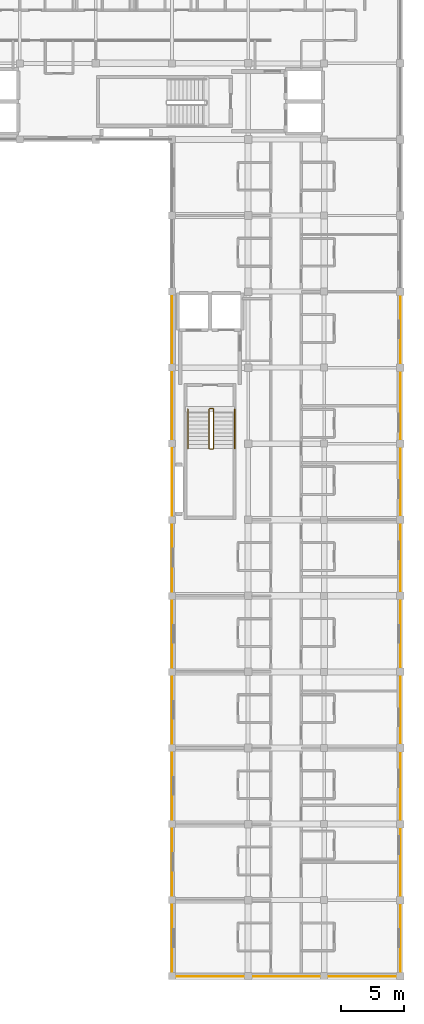
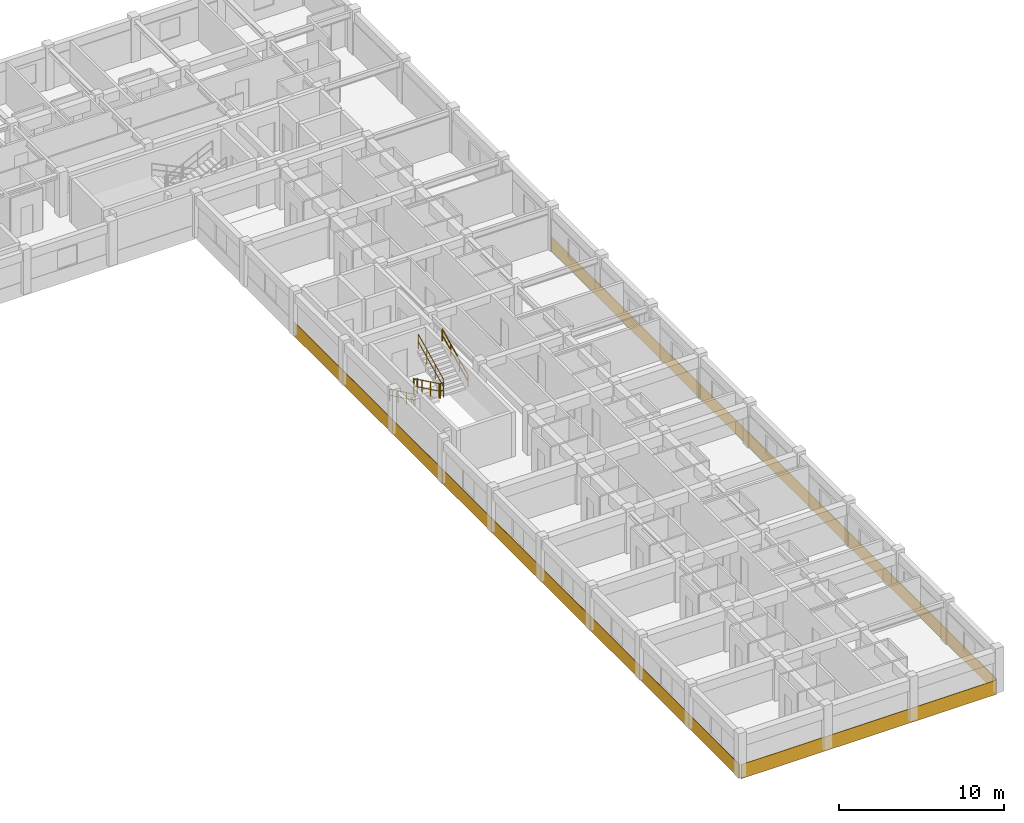
# One storey, part 17 of 21: 7 coverings, 6 railings.
"""IFC4 building model written with IfcOpenShell, lengths in metres."""

from ifc_helpers import new_model, si_unit, direction, frame, origin, origin_2d, place, context, subcontext, project, spatial, polyline, circle, outline, extrude, material, layer, layer_set, type_object, element, save


model = new_model("IFC4")

# Units and contexts
model_context = context("Model", 3, precision=1e-05, world=origin(), true_north=direction((0.0, 1.0)))
body_context = subcontext(model_context, "Body", "Model", "MODEL_VIEW")
ifc_project = project(units=[si_unit("LENGTHUNIT", "METRE"), si_unit("AREAUNIT", "SQUARE_METRE"), si_unit("VOLUMEUNIT", "CUBIC_METRE"), si_unit("PLANEANGLEUNIT", "RADIAN"), si_unit("MASSUNIT", "GRAM", prefix="KILO"), si_unit("THERMODYNAMICTEMPERATUREUNIT", "KELVIN"), si_unit("POWERUNIT", "WATT")], contexts=[model_context])

# Site, building, storey
site_placement = place(None, origin())
site = spatial("IfcSite", under=ifc_project, at=site_placement, CompositionType="ELEMENT")
building_placement = place(site_placement, origin())
building = spatial("IfcBuilding", under=site, at=building_placement, Name="Phaisarnlok Congress Hotel", CompositionType="ELEMENT")
storey_placement = place(building_placement, frame((0.0, 0.0, 34.800048828125)))
storey = spatial("IfcBuildingStorey", under=building, at=storey_placement, Name="L08", CompositionType="ELEMENT", Elevation=34.800048828125)

# Coverings
ifc_material_1 = material(Name="Anodised Silver Aluminium Alloy 6063-T6", Category="aluminium")
ifc_layer = layer(ifc_material_1, 0.031982421875, Name="Anodised Silver Aluminium Alloy 6063-T6")
ifc_layer_set = layer_set([ifc_layer], Name="Anodised Silver Aluminium Alloy 6063-T6")
covering_type = type_object("IfcCoveringType", Name="COV-SPAND-ALU", PredefinedType="CLADDING", material=ifc_layer_set)
for number, where, z_axis, x_axis, name in (
    (1, (179.9951171875, 42.06005859375, -0.280029296875), (1.0, 0.0, 0.0), (0.0, 1.0, 0.0), "Swiss minimalist anodised silver rainscreen band CL-02 (L08 E)"),
    (2, (179.9951171875, 60.06005859375, -0.280029296875), (1.0, 0.0, 0.0), (0.0, 1.0, 0.0), "Swiss minimalist anodised silver rainscreen band CL-02 (L08 E)"),
    (3, (179.9951171875, 78.06005859375, -0.280029296875), (1.0, 0.0, 0.0), (0.0, 1.0, 0.0), "Swiss minimalist anodised silver rainscreen band CL-02 (L08 E)"),
    (4, (162.0048828125, 60.06005859375, -0.280029296875), (-1.0, 0.0, 0.0), (0.0, -1.0, 0.0), "Swiss minimalist anodised silver rainscreen band CL-02 (L08 W)"),
    (5, (162.0048828125, 78.06005859375, -0.280029296875), (-1.0, 0.0, 0.0), (0.0, -1.0, 0.0), "Swiss minimalist anodised silver rainscreen band CL-02 (L08 W)"),
    (6, (162.0048828125, 96.06005859375, -0.280029296875), (-1.0, 0.0, 0.0), (0.0, -1.0, 0.0), "Swiss minimalist anodised silver rainscreen band CL-02 (L08 W)"),
):
    element("IfcCovering", number, at=place(storey_placement, frame(where, z_axis=z_axis, x_axis=x_axis)), inside=storey, type_object=covering_type, Name=name, PredefinedType="CLADDING", context=body_context, shape_type="SweptSolid", body=[
        extrude(outline(polyline([(0.0, 0.0), (18.0, 0.0), (18.0, 1.050048828125), (0.0, 1.050048828125), (0.0, 0.0)])), origin(), (0.0, 0.0, 1.0), 0.031982421875),
    ])
covering_placement = place(storey_placement, frame((162.06005859375, 42.0048828125, -0.280029296875), z_axis=(0.0, -1.0, 0.0), x_axis=(1.0, 0.0, 0.0)))
element("IfcCovering", 7, at=covering_placement, inside=storey, type_object=covering_type, Name="Swiss minimalist anodised silver rainscreen band CL-02 (L08 SG)", PredefinedType="CLADDING", context=body_context, shape_type="SweptSolid", body=[
    extrude(outline(polyline([(0.0, 0.0), (17.8798828125, 0.0), (17.8798828125, 1.050048828125), (0.0, 1.050048828125), (0.0, 0.0)])), origin(), (0.0, 0.0, 1.0), 0.031982421875),
])

# Railings
ifc_material_2 = material(Name="Painted Galvanised Steel S275", Category="steel")
railing_type_1 = type_object("IfcRailingType", Name="RLG-STR-GUARD", PredefinedType="BALUSTRADE", material=ifc_material_2)
railing_1_placement = place(storey_placement, frame((164.929931640625, 86.719970703125, 0.14990234375)))
element("IfcRailing", 8, at=railing_1_placement, inside=storey, type_object=railing_type_1, Name="L08 ST-09 stair guard 1", PredefinedType="BALUSTRADE", context=body_context, shape_type="SweptSolid", body=[
    extrude(circle(Radius=0.02392578125, at=origin_2d()), frame((0.0, 0.0, 1.076171875), z_axis=(0.0, -0.900151181449, 0.435577605641), x_axis=(1.0, 0.0, 0.0)), (0.0, 0.0, 1.0), 3.443603515625),
    extrude(circle(Radius=0.02392578125, at=origin_2d()), frame((0.0, 0.0, 0.52587890625), z_axis=(0.0, -0.900151181449, 0.435577605641), x_axis=(1.0, 0.0, 0.0)), (0.0, 0.0, 1.0), 3.443603515625),
    extrude(circle(Radius=0.02099609375, at=origin_2d()), origin(), (0.0, 0.0, 1.0), 1.052001953125),
    extrude(circle(Radius=0.02099609375, at=origin_2d()), frame((0.0, -1.033203125, 0.5)), (0.0, 0.0, 1.0), 1.052001953125),
    extrude(circle(Radius=0.02099609375, at=origin_2d()), frame((0.0, -2.066650390625, 1.0)), (0.0, 0.0, 1.0), 1.052001953125),
    extrude(circle(Radius=0.02099609375, at=origin_2d()), frame((0.0, -3.099853515625, 1.5)), (0.0, 0.0, 1.0), 1.052001953125),
])
railing_2_placement = place(storey_placement, frame((164.97998046875, 83.570068359375, 1.64990234375)))
element("IfcRailing", 9, at=railing_2_placement, inside=storey, type_object=railing_type_1, Name="L08 ST-09 stair guard 2", PredefinedType="BALUSTRADE", context=body_context, shape_type="SweptSolid", body=[
    extrude(circle(Radius=0.02392578125, at=origin_2d()), frame((0.0, 0.0, 1.076171875), z_axis=(1.0, 0.0, 0.0), x_axis=(0.0, 1.0, 0.0)), (0.0, 0.0, 1.0), 0.239990234375),
    extrude(circle(Radius=0.02392578125, at=origin_2d()), frame((0.0, 0.0, 0.52587890625), z_axis=(1.0, 0.0, 0.0), x_axis=(0.0, 1.0, 0.0)), (0.0, 0.0, 1.0), 0.239990234375),
    extrude(circle(Radius=0.02099609375, at=origin_2d()), origin(), (0.0, 0.0, 1.0), 1.052001953125),
    extrude(circle(Radius=0.02099609375, at=origin_2d()), frame((0.239990234375, 0.0, 0.0)), (0.0, 0.0, 1.0), 1.052001953125),
])
railing_3_placement = place(storey_placement, frame((165.27001953125, 83.6201171875, 1.800048828125)))
element("IfcRailing", 10, at=railing_3_placement, inside=storey, type_object=railing_type_1, Name="L08 ST-09 stair guard 3", PredefinedType="BALUSTRADE", context=body_context, shape_type="SweptSolid", body=[
    extrude(circle(Radius=0.02392578125, at=origin_2d()), frame((0.0, 0.0, 1.076171875), z_axis=(0.0, 0.900151181449, 0.435577605641), x_axis=(-1.0, 0.0, 0.0)), (0.0, 0.0, 1.0), 3.443603515625),
    extrude(circle(Radius=0.02392578125, at=origin_2d()), frame((0.0, 0.0, 0.52587890625), z_axis=(0.0, 0.900151181449, 0.435577605641), x_axis=(-1.0, 0.0, 0.0)), (0.0, 0.0, 1.0), 3.443603515625),
    extrude(circle(Radius=0.02099609375, at=origin_2d()), origin(), (0.0, 0.0, 1.0), 1.052001953125),
    extrude(circle(Radius=0.02099609375, at=origin_2d()), frame((0.0, 1.033203125, 0.5)), (0.0, 0.0, 1.0), 1.052001953125),
    extrude(circle(Radius=0.02099609375, at=origin_2d()), frame((0.0, 2.066650390625, 1.0)), (0.0, 0.0, 1.0), 1.052001953125),
    extrude(circle(Radius=0.02099609375, at=origin_2d()), frame((0.0, 3.099853515625, 1.5)), (0.0, 0.0, 1.0), 1.052001953125),
])
railing_4_placement = place(storey_placement, frame((164.97998046875, 86.77001953125, 0.0)))
element("IfcRailing", 11, at=railing_4_placement, inside=storey, type_object=railing_type_1, Name="L08 ST-09 stair guard 4", PredefinedType="BALUSTRADE", context=body_context, shape_type="SweptSolid", body=[
    extrude(circle(Radius=0.02392578125, at=origin_2d()), frame((0.0, 0.0, 1.076171875), z_axis=(1.0, 0.0, 0.0), x_axis=(0.0, 1.0, 0.0)), (0.0, 0.0, 1.0), 0.239990234375),
    extrude(circle(Radius=0.02392578125, at=origin_2d()), frame((0.0, 0.0, 0.52587890625), z_axis=(1.0, 0.0, 0.0), x_axis=(0.0, 1.0, 0.0)), (0.0, 0.0, 1.0), 0.239990234375),
    extrude(circle(Radius=0.02099609375, at=origin_2d()), origin(), (0.0, 0.0, 1.0), 1.052001953125),
    extrude(circle(Radius=0.02099609375, at=origin_2d()), frame((0.239990234375, 0.0, 0.0)), (0.0, 0.0, 1.0), 1.052001953125),
])
ifc_material_3 = material(Name="Brushed Stainless Steel Grade 304", Category="steel")
railing_type_2 = type_object("IfcRailingType", Name="RLG-STR-HRAIL", PredefinedType="HANDRAIL", material=ifc_material_3)
railing_5_placement = place(storey_placement, frame((163.25, 86.719970703125, 0.14990234375)))
element("IfcRailing", 12, at=railing_5_placement, inside=storey, type_object=railing_type_2, Name="L08 ST-09 stair handrail 1", PredefinedType="HANDRAIL", context=body_context, shape_type="SweptSolid", body=[
    extrude(circle(Radius=0.02392578125, at=origin_2d()), frame((0.0, 0.0, 0.8759765625), z_axis=(0.0, -0.900151181449, 0.435577605641), x_axis=(1.0, 0.0, 0.0)), (0.0, 0.0, 1.0), 3.443603515625),
    extrude(circle(Radius=0.02392578125, at=origin_2d()), frame((0.0, 0.0, 0.42578125), z_axis=(0.0, -0.900151181449, 0.435577605641), x_axis=(1.0, 0.0, 0.0)), (0.0, 0.0, 1.0), 3.443603515625),
    extrude(circle(Radius=0.02099609375, at=origin_2d()), origin(), (0.0, 0.0, 1.0), 0.851806640625),
    extrude(circle(Radius=0.02099609375, at=origin_2d()), frame((0.0, -1.033203125, 0.5)), (0.0, 0.0, 1.0), 0.851806640625),
    extrude(circle(Radius=0.02099609375, at=origin_2d()), frame((0.0, -2.066650390625, 1.0)), (0.0, 0.0, 1.0), 0.851806640625),
    extrude(circle(Radius=0.02099609375, at=origin_2d()), frame((0.0, -3.099853515625, 1.5)), (0.0, 0.0, 1.0), 0.851806640625),
])
railing_6_placement = place(storey_placement, frame((166.949951171875, 83.6201171875, 1.800048828125)))
element("IfcRailing", 13, at=railing_6_placement, inside=storey, type_object=railing_type_2, Name="L08 ST-09 stair handrail 2", PredefinedType="HANDRAIL", context=body_context, shape_type="SweptSolid", body=[
    extrude(circle(Radius=0.02392578125, at=origin_2d()), frame((0.0, 0.0, 0.8759765625), z_axis=(0.0, 0.900151181449, 0.435577605641), x_axis=(-1.0, 0.0, 0.0)), (0.0, 0.0, 1.0), 3.443603515625),
    extrude(circle(Radius=0.02392578125, at=origin_2d()), frame((0.0, 0.0, 0.42578125), z_axis=(0.0, 0.900151181449, 0.435577605641), x_axis=(-1.0, 0.0, 0.0)), (0.0, 0.0, 1.0), 3.443603515625),
    extrude(circle(Radius=0.02099609375, at=origin_2d()), origin(), (0.0, 0.0, 1.0), 0.851806640625),
    extrude(circle(Radius=0.02099609375, at=origin_2d()), frame((0.0, 1.033203125, 0.5)), (0.0, 0.0, 1.0), 0.851806640625),
    extrude(circle(Radius=0.02099609375, at=origin_2d()), frame((0.0, 2.066650390625, 1.0)), (0.0, 0.0, 1.0), 0.851806640625),
    extrude(circle(Radius=0.02099609375, at=origin_2d()), frame((0.0, 3.099853515625, 1.5)), (0.0, 0.0, 1.0), 0.851806640625),
])

save(model, "model.ifc")
